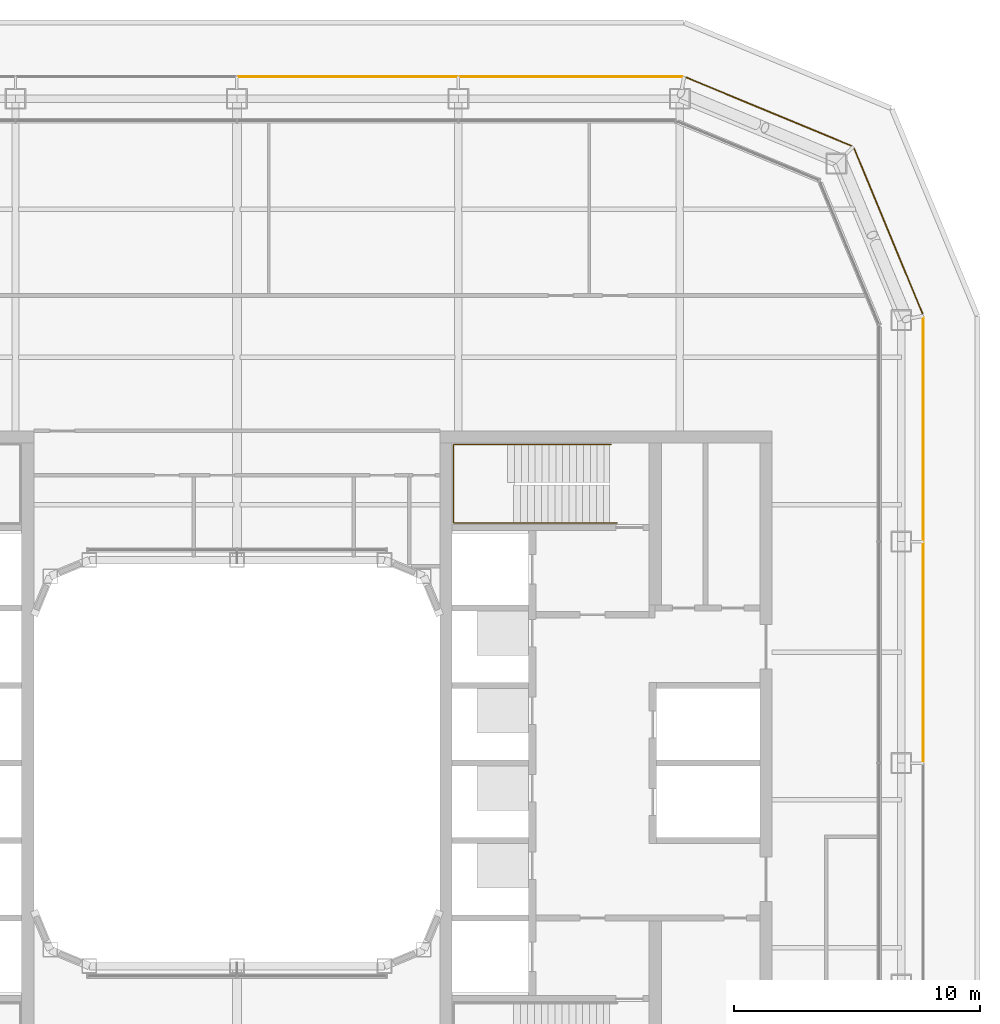
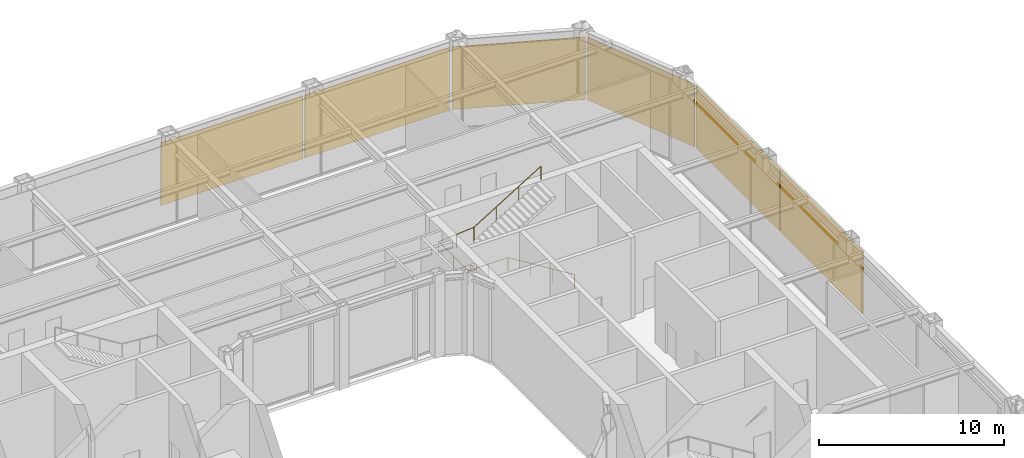
# One storey, part 18 of 19: 6 coverings, 1 railing.
"""IFC4 building model written with IfcOpenShell, lengths in metres."""

from ifc_helpers import new_model, si_unit, direction, frame, origin, origin_2d, place, context, subcontext, project, spatial, rectangle, circle, extrude, material, layer, layer_set, type_object, element, save


model = new_model("IFC4")

# Units and contexts
model_context = context("Model", 3, precision=1e-05, world=origin(), true_north=direction((0.0, 1.0)))
body_context = subcontext(model_context, "Body", "Model", "MODEL_VIEW")
ifc_project = project(units=[si_unit("LENGTHUNIT", "METRE"), si_unit("AREAUNIT", "SQUARE_METRE"), si_unit("VOLUMEUNIT", "CUBIC_METRE"), si_unit("PLANEANGLEUNIT", "RADIAN"), si_unit("MASSUNIT", "GRAM", prefix="KILO")], contexts=[model_context])

# Site, building, storey
site_placement = place(None, origin())
site = spatial("IfcSite", under=ifc_project, at=site_placement, CompositionType="ELEMENT")
building_placement = place(site_placement, origin())
building = spatial("IfcBuilding", under=site, at=building_placement, Name="Siwar Civic Tower", CompositionType="ELEMENT")
storey_placement = place(building_placement, frame((0.0, 0.0, 187.199951171875)))
storey = spatial("IfcBuildingStorey", under=building, at=storey_placement, Name="L40", CompositionType="ELEMENT", Elevation=187.199951171875)

# Railing
ifc_material_1 = material(Name="Stainless steel", Category="steel")
railing_type = type_object("IfcRailingType", Name="CORE-STAIR-HANDRAIL", PredefinedType="HANDRAIL", material=ifc_material_1)
railing_placement = place(storey_placement, frame((15.449951171875, 9.758056640625, 0.171875)))
element("IfcRailing", 1, at=railing_placement, inside=storey, type_object=railing_type, Name="Stair handrail ST3", PredefinedType="HANDRAIL", context=body_context, shape_type="SweptSolid", body=[
    extrude(circle(Radius=0.02001953125, at=origin_2d()), frame((0.0, 0.0, 0.8798828125), z_axis=(-0.849426996612, 0.0, 0.527706146854), x_axis=(0.0, -1.0, 0.0)), (0.0, 0.0, 1.0), 4.885498046875),
    extrude(circle(Radius=0.02001953125, at=origin_2d()), frame((-4.14990234375, 0.0, 3.4580078125), z_axis=(-1.0, 0.0, 0.0), x_axis=(0.0, -1.0, 0.0)), (0.0, 0.0, 1.0), 2.491943359375),
    extrude(circle(Radius=0.02001953125, at=origin_2d()), frame((-6.641845703125, 0.0, 3.4580078125), z_axis=(0.0, 1.0, 0.0), x_axis=(-1.0, 0.0, 0.0)), (0.0, 0.0, 1.0), 3.183837890625),
    extrude(circle(Radius=0.02001953125, at=origin_2d()), frame((-6.641845703125, 3.183837890625, 3.4580078125), z_axis=(0.996939735461, 0.0, 0.078173933367), x_axis=(0.0, 1.0, 0.0)), (0.0, 0.0, 1.0), 2.19873046875),
    extrude(circle(Radius=0.02001953125, at=origin_2d()), frame((-4.449951171875, 3.183837890625, 3.6298828125), z_axis=(0.852242915053, 0.0, 0.523146264196), x_axis=(0.0, 1.0, 0.0)), (0.0, 0.0, 1.0), 4.92822265625),
    extrude(circle(Radius=0.02001953125, at=origin_2d()), origin(), (0.0, 0.0, 1.0), 0.85986328125),
    extrude(circle(Radius=0.02001953125, at=origin_2d()), frame((-1.38330078125, 0.0, 0.859375)), (0.0, 0.0, 1.0), 0.85986328125),
    extrude(circle(Radius=0.02001953125, at=origin_2d()), frame((-2.7666015625, 0.0, 1.71875)), (0.0, 0.0, 1.0), 0.85986328125),
    extrude(circle(Radius=0.02001953125, at=origin_2d()), frame((-4.14990234375, 0.0, 2.578125)), (0.0, 0.0, 1.0), 0.85986328125),
    extrude(circle(Radius=0.02001953125, at=origin_2d()), frame((-5.39599609375, 0.0, 2.578125)), (0.0, 0.0, 1.0), 0.85986328125),
    extrude(circle(Radius=0.02001953125, at=origin_2d()), frame((-6.641845703125, 0.0, 2.578125)), (0.0, 0.0, 1.0), 0.85986328125),
    extrude(circle(Radius=0.02001953125, at=origin_2d()), frame((-6.641845703125, 1.591796875, 2.578125)), (0.0, 0.0, 1.0), 0.85986328125),
    extrude(circle(Radius=0.02001953125, at=origin_2d()), frame((-6.641845703125, 3.183837890625, 2.578125)), (0.0, 0.0, 1.0), 0.85986328125),
    extrude(circle(Radius=0.02001953125, at=origin_2d()), frame((-5.5458984375, 3.183837890625, 2.6640625)), (0.0, 0.0, 1.0), 0.85986328125),
    extrude(circle(Radius=0.02001953125, at=origin_2d()), frame((-4.449951171875, 3.183837890625, 2.75)), (0.0, 0.0, 1.0), 0.85986328125),
    extrude(circle(Radius=0.02001953125, at=origin_2d()), frame((-3.050048828125, 3.183837890625, 3.609375)), (0.0, 0.0, 1.0), 0.85986328125),
    extrude(circle(Radius=0.02001953125, at=origin_2d()), frame((-1.64990234375, 3.183837890625, 4.46875)), (0.0, 0.0, 1.0), 0.85986328125),
    extrude(circle(Radius=0.02001953125, at=origin_2d()), frame((-0.25, 3.183837890625, 5.328125)), (0.0, 0.0, 1.0), 0.85986328125),
])

# Coverings
ifc_material_2 = material(Name="Perforated aluminium cassette, pale metal", Category="aluminium")
ifc_layer = layer(ifc_material_2, 0.0400390625)
ifc_layer_set = layer_set([ifc_layer], Name="Perforated aluminium cassette, pale metal")
covering_type = type_object("IfcCoveringType", Name="ENV-OUTER SKIN OS-1", PredefinedType="CLADDING", material=ifc_layer_set)
covering_1_placement = place(storey_placement, frame((27.89990234375, 4.5, 0.0), z_axis=(0.0, 0.0, 1.0), x_axis=(0.0, 1.0, 0.0)))
element("IfcCovering", 2, at=covering_1_placement, inside=storey, type_object=covering_type, Name="OUTER SKIN OS-1 E 3", PredefinedType="CLADDING", context=body_context, shape_type="SweptSolid", body=[
    extrude(rectangle(XDim=8.89990234375, YDim=0.0400390625, at=origin_2d()), origin(), (0.0, 0.0, 1.0), 4.14990234375),
])
covering_2_placement = place(storey_placement, frame((27.89990234375, 13.57958984375, 0.0), z_axis=(0.0, 0.0, 1.0), x_axis=(0.0, 1.0, 0.0)))
element("IfcCovering", 3, at=covering_2_placement, inside=storey, type_object=covering_type, Name="OUTER SKIN OS-1 E 4", PredefinedType="CLADDING", context=body_context, shape_type="SweptSolid", body=[
    extrude(rectangle(XDim=9.05908203125, YDim=0.0400390625, at=origin_2d()), origin(), (0.0, 0.0, 1.0), 4.14990234375),
])
for number, where, z_axis, x_axis, name in (
    (4, (26.476318359375, 21.615966796875, 0.0), (0.0, 0.0, 1.0), (-0.382683432365, 0.923879532511, 0.0), "OUTER SKIN OS-1 NE1 1"),
    (5, (21.615966796875, 26.476318359375, 0.0), (0.0, 0.0, 1.0), (-0.923879532511, 0.382683432365, 0.0), "OUTER SKIN OS-1 NE2 1"),
):
    element("IfcCovering", number, at=place(storey_placement, frame(where, z_axis=z_axis, x_axis=x_axis)), inside=storey, type_object=covering_type, Name=name, PredefinedType="CLADDING", context=body_context, shape_type="SweptSolid", body=[
        extrude(rectangle(XDim=7.300048828125, YDim=0.0400390625, at=origin_2d()), origin(), (0.0, 0.0, 1.0), 4.14990234375),
    ])
covering_3_placement = place(storey_placement, frame((13.57958984375, 27.89990234375, 0.0), z_axis=(0.0, 0.0, 1.0), x_axis=(-1.0, 0.0, 0.0)))
element("IfcCovering", 6, at=covering_3_placement, inside=storey, type_object=covering_type, Name="OUTER SKIN OS-1 N 1", PredefinedType="CLADDING", context=body_context, shape_type="SweptSolid", body=[
    extrude(rectangle(XDim=9.05908203125, YDim=0.0400390625, at=origin_2d()), origin(), (0.0, 0.0, 1.0), 4.14990234375),
])
covering_4_placement = place(storey_placement, frame((4.5, 27.89990234375, 0.0), z_axis=(0.0, 0.0, 1.0), x_axis=(-1.0, 0.0, 0.0)))
element("IfcCovering", 7, at=covering_4_placement, inside=storey, type_object=covering_type, Name="OUTER SKIN OS-1 N 2", PredefinedType="CLADDING", context=body_context, shape_type="SweptSolid", body=[
    extrude(rectangle(XDim=8.89990234375, YDim=0.0400390625, at=origin_2d()), origin(), (0.0, 0.0, 1.0), 4.14990234375),
])

save(model, "model.ifc")
